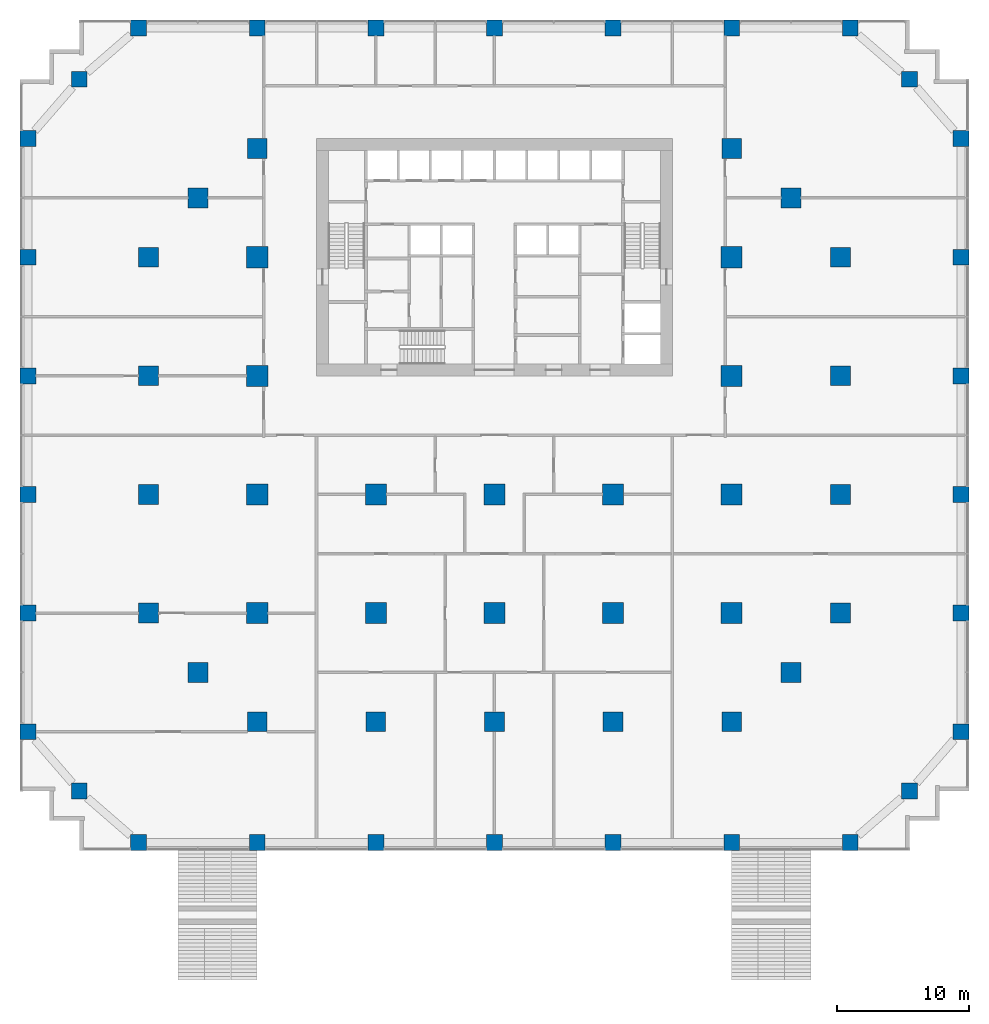
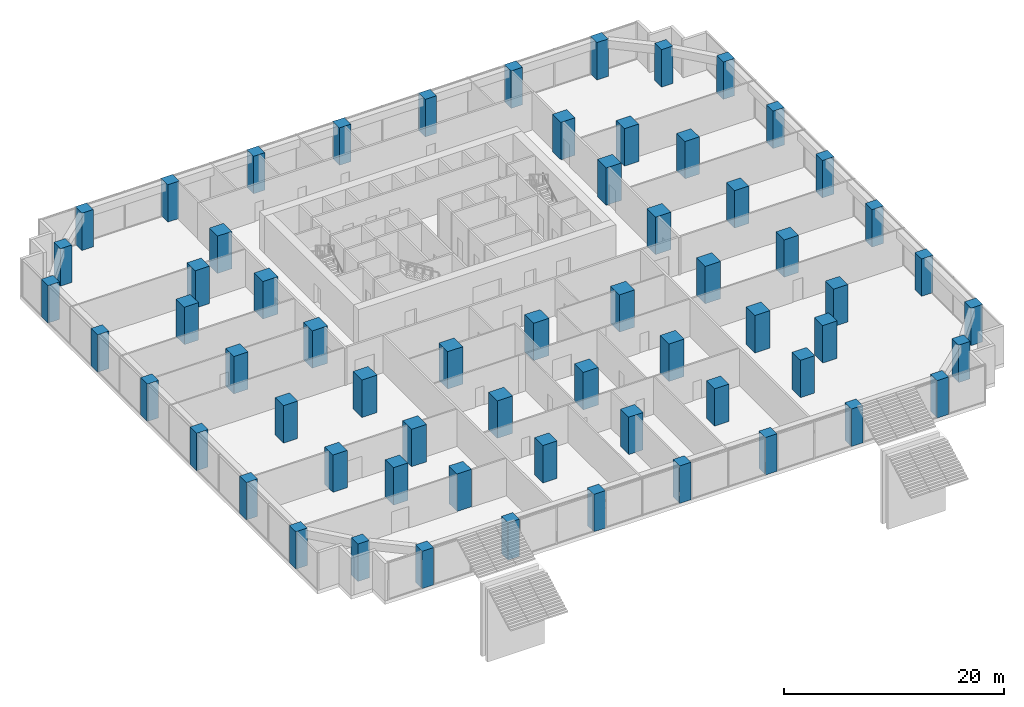
# One storey, part 1 of 18: 63 columns.
"""IFC4 building model written with IfcOpenShell, lengths in metres."""

from ifc_helpers import new_model, si_unit, direction, frame, origin, origin_2d, place, context, subcontext, project, spatial, rectangle, extrude, material, material_profile, profile_set, type_object, element, save


model = new_model("IFC4")

# Units and contexts
model_context = context("Model", 3, precision=1e-05, world=origin(), true_north=direction((0.0, 1.0)))
body_context = subcontext(model_context, "Body", "Model", "MODEL_VIEW")
ifc_project = project(units=[si_unit("LENGTHUNIT", "METRE"), si_unit("AREAUNIT", "SQUARE_METRE"), si_unit("VOLUMEUNIT", "CUBIC_METRE"), si_unit("PLANEANGLEUNIT", "RADIAN"), si_unit("MASSUNIT", "GRAM", prefix="KILO")], contexts=[model_context])

# Site, building, storey
site_placement = place(None, origin())
site = spatial("IfcSite", under=ifc_project, at=site_placement, CompositionType="ELEMENT")
building_placement = place(site_placement, origin())
building = spatial("IfcBuilding", under=site, at=building_placement, Name="Orbiselva Terraces", CompositionType="ELEMENT")
storey_placement = place(building_placement, frame((0.0, 0.0, 6.0)))
storey = spatial("IfcBuildingStorey", under=building, at=storey_placement, Name="L01", CompositionType="ELEMENT", Elevation=6.0)

# Columns
ifc_material_1 = material(Name="Concrete C80/95", Category="concrete")
ifc_material_profile_1 = material_profile(ifc_material_1, rectangle(XDim=1.6, YDim=1.6, at=origin_2d()), Name="RC 1600x1600")
ifc_profile_set_1 = profile_set([ifc_material_profile_1], Name="Concrete C80/95")
column_type_1 = type_object("IfcColumnType", Name="COLUMN RC 1600x1600", PredefinedType="COLUMN", material=ifc_profile_set_1)
for number, where, z_axis, x_axis, name in (
    (1, (-18.0, -13.5, 0.0), (0.0, 0.0, 1.0), (1.0, 0.0, 0.0), "Column L01-31"),
    (2, (-18.0, -4.5, 0.0), (0.0, 0.0, 1.0), (1.0, 0.0, 0.0), "Column L01-33"),
    (3, (-18.0, 13.5, 0.0), (0.0, 0.0, 1.0), (1.0, 0.0, 0.0), "Column L01-34"),
    (4, (-18.0, 4.5, 0.0), (0.0, 0.0, 1.0), (1.0, 0.0, 0.0), "Column L01-36"),
    (5, (-9.0, -13.5, 0.0), (0.0, 0.0, 1.0), (1.0, 0.0, 0.0), "Column L01-43"),
    (6, (-9.0, -4.5, 0.0), (0.0, 0.0, 1.0), (1.0, 0.0, 0.0), "Column L01-45"),
    (7, (0.0, -13.5, 0.0), (0.0, 0.0, 1.0), (1.0, 0.0, 0.0), "Column L01-46"),
    (8, (0.0, -4.5, 0.0), (0.0, 0.0, 1.0), (1.0, 0.0, 0.0), "Column L01-48"),
    (9, (18.0, -13.5, 0.0), (0.0, 0.0, 1.0), (1.0, 0.0, 0.0), "Column L01-49"),
    (10, (18.0, -4.5, 0.0), (0.0, 0.0, 1.0), (1.0, 0.0, 0.0), "Column L01-51"),
    (11, (18.0, 13.5, 0.0), (0.0, 0.0, 1.0), (1.0, 0.0, 0.0), "Column L01-52"),
    (12, (18.0, 4.5, 0.0), (0.0, 0.0, 1.0), (1.0, 0.0, 0.0), "Column L01-54"),
    (13, (9.0, -13.5, 0.0), (0.0, 0.0, 1.0), (1.0, 0.0, 0.0), "Column L01-61"),
    (14, (9.0, -4.5, 0.0), (0.0, 0.0, 1.0), (1.0, 0.0, 0.0), "Column L01-63"),
):
    element("IfcColumn", number, at=place(storey_placement, frame(where, z_axis=z_axis, x_axis=x_axis)), inside=storey, type_object=column_type_1, Name=name, PredefinedType="COLUMN", context=body_context, shape_type="SweptSolid", body=[
        extrude(rectangle(XDim=1.6, YDim=1.6, at=origin_2d()), origin(), (0.0, 0.0, 1.0), 4.15),
    ])
ifc_material_2 = material(Name="Concrete C60/75", Category="concrete")
ifc_material_profile_2 = material_profile(ifc_material_2, rectangle(XDim=1.2, YDim=1.2, at=origin_2d()), Name="RC 1200x1200")
ifc_profile_set_2 = profile_set([ifc_material_profile_2], Name="Concrete C60/75")
column_type_2 = type_object("IfcColumnType", Name="PERIMETER COLUMN RC 1200x1200", PredefinedType="COLUMN", material=ifc_profile_set_2)
for number, where, z_axis, x_axis, name in (
    (15, (-18.0, -30.9, 0.0), (0.0, 0.0, 1.0), (1.0, 0.0, 0.0), "Column L01-01"),
    (16, (-18.0, 30.9, 0.0), (0.0, 0.0, 1.0), (1.0, 0.0, 0.0), "Column L01-02"),
    (17, (-27.0, -30.9, 0.0), (0.0, 0.0, 1.0), (1.0, 0.0, 0.0), "Column L01-03"),
    (18, (-27.0, 30.9, 0.0), (0.0, 0.0, 1.0), (1.0, 0.0, 0.0), "Column L01-04"),
    (19, (-35.4, -13.5, 0.0), (0.0, 0.0, 1.0), (1.0, 0.0, 0.0), "Column L01-05"),
    (20, (-35.4, -22.5, 0.0), (0.0, 0.0, 1.0), (1.0, 0.0, 0.0), "Column L01-06"),
    (21, (-31.5, -27.0, 0.0), (0.0, 0.0, 1.0), (1.0, 0.0, 0.0), "Column L01-07"),
    (22, (-35.4, -4.5, 0.0), (0.0, 0.0, 1.0), (1.0, 0.0, 0.0), "Column L01-08"),
    (23, (-35.4, 13.5, 0.0), (0.0, 0.0, 1.0), (1.0, 0.0, 0.0), "Column L01-09"),
    (24, (-35.4, 22.5, 0.0), (0.0, 0.0, 1.0), (1.0, 0.0, 0.0), "Column L01-10"),
    (25, (-31.5, 27.0, 0.0), (0.0, 0.0, 1.0), (1.0, 0.0, 0.0), "Column L01-11"),
    (26, (-35.4, 4.5, 0.0), (0.0, 0.0, 1.0), (1.0, 0.0, 0.0), "Column L01-12"),
    (27, (-9.0, -30.9, 0.0), (0.0, 0.0, 1.0), (1.0, 0.0, 0.0), "Column L01-13"),
    (28, (-9.0, 30.9, 0.0), (0.0, 0.0, 1.0), (1.0, 0.0, 0.0), "Column L01-14"),
    (29, (0.0, -30.9, 0.0), (0.0, 0.0, 1.0), (1.0, 0.0, 0.0), "Column L01-15"),
    (30, (0.0, 30.9, 0.0), (0.0, 0.0, 1.0), (1.0, 0.0, 0.0), "Column L01-16"),
    (31, (18.0, -30.9, 0.0), (0.0, 0.0, 1.0), (1.0, 0.0, 0.0), "Column L01-17"),
    (32, (18.0, 30.9, 0.0), (0.0, 0.0, 1.0), (1.0, 0.0, 0.0), "Column L01-18"),
    (33, (27.0, -30.9, 0.0), (0.0, 0.0, 1.0), (1.0, 0.0, 0.0), "Column L01-19"),
    (34, (27.0, 30.9, 0.0), (0.0, 0.0, 1.0), (1.0, 0.0, 0.0), "Column L01-20"),
    (35, (35.4, -13.5, 0.0), (0.0, 0.0, 1.0), (1.0, 0.0, 0.0), "Column L01-21"),
    (36, (35.4, -22.5, 0.0), (0.0, 0.0, 1.0), (1.0, 0.0, 0.0), "Column L01-22"),
    (37, (31.5, -27.0, 0.0), (0.0, 0.0, 1.0), (1.0, 0.0, 0.0), "Column L01-23"),
    (38, (35.4, -4.5, 0.0), (0.0, 0.0, 1.0), (1.0, 0.0, 0.0), "Column L01-24"),
    (39, (35.4, 13.5, 0.0), (0.0, 0.0, 1.0), (1.0, 0.0, 0.0), "Column L01-25"),
    (40, (35.4, 22.5, 0.0), (0.0, 0.0, 1.0), (1.0, 0.0, 0.0), "Column L01-26"),
    (41, (31.5, 27.0, 0.0), (0.0, 0.0, 1.0), (1.0, 0.0, 0.0), "Column L01-27"),
    (42, (35.4, 4.5, 0.0), (0.0, 0.0, 1.0), (1.0, 0.0, 0.0), "Column L01-28"),
    (43, (9.0, -30.9, 0.0), (0.0, 0.0, 1.0), (1.0, 0.0, 0.0), "Column L01-29"),
    (44, (9.0, 30.9, 0.0), (0.0, 0.0, 1.0), (1.0, 0.0, 0.0), "Column L01-30"),
):
    element("IfcColumn", number, at=place(storey_placement, frame(where, z_axis=z_axis, x_axis=x_axis)), inside=storey, type_object=column_type_2, Name=name, PredefinedType="COLUMN", context=body_context, shape_type="SweptSolid", body=[
        extrude(rectangle(XDim=1.2, YDim=1.2, at=origin_2d()), origin(), (0.0, 0.0, 1.0), 4.15),
    ])
ifc_material_profile_3 = material_profile(ifc_material_1, rectangle(XDim=1.5, YDim=1.5, at=origin_2d()), Name="RC 1500x1500")
ifc_profile_set_3 = profile_set([ifc_material_profile_3], Name="Concrete C80/95")
column_type_3 = type_object("IfcColumnType", Name="PERIMETER COLUMN RC 1500x1500", PredefinedType="COLUMN", material=ifc_profile_set_3)
for number, where, z_axis, x_axis, name in (
    (45, (-18.0, -21.75, 0.0), (0.0, 0.0, 1.0), (1.0, 0.0, 0.0), "Column L01-32"),
    (46, (-18.0, 21.75, 0.0), (0.0, 0.0, 1.0), (1.0, 0.0, 0.0), "Column L01-35"),
    (47, (-26.25, -13.5, 0.0), (0.0, 0.0, 1.0), (1.0, 0.0, 0.0), "Column L01-37"),
    (48, (-22.5, -18.0, 0.0), (0.0, 0.0, 1.0), (1.0, 0.0, 0.0), "Column L01-38"),
    (49, (-26.25, -4.5, 0.0), (0.0, 0.0, 1.0), (1.0, 0.0, 0.0), "Column L01-39"),
    (50, (-26.25, 13.5, 0.0), (0.0, 0.0, 1.0), (1.0, 0.0, 0.0), "Column L01-40"),
    (51, (-22.5, 18.0, 0.0), (0.0, 0.0, 1.0), (1.0, 0.0, 0.0), "Column L01-41"),
    (52, (-26.25, 4.5, 0.0), (0.0, 0.0, 1.0), (1.0, 0.0, 0.0), "Column L01-42"),
    (53, (-9.0, -21.75, 0.0), (0.0, 0.0, 1.0), (1.0, 0.0, 0.0), "Column L01-44"),
    (54, (0.0, -21.75, 0.0), (0.0, 0.0, 1.0), (1.0, 0.0, 0.0), "Column L01-47"),
    (55, (18.0, -21.75, 0.0), (0.0, 0.0, 1.0), (1.0, 0.0, 0.0), "Column L01-50"),
    (56, (18.0, 21.75, 0.0), (0.0, 0.0, 1.0), (1.0, 0.0, 0.0), "Column L01-53"),
    (57, (26.25, -13.5, 0.0), (0.0, 0.0, 1.0), (1.0, 0.0, 0.0), "Column L01-55"),
    (58, (22.5, -18.0, 0.0), (0.0, 0.0, 1.0), (1.0, 0.0, 0.0), "Column L01-56"),
    (59, (26.25, -4.5, 0.0), (0.0, 0.0, 1.0), (1.0, 0.0, 0.0), "Column L01-57"),
    (60, (26.25, 13.5, 0.0), (0.0, 0.0, 1.0), (1.0, 0.0, 0.0), "Column L01-58"),
    (61, (22.5, 18.0, 0.0), (0.0, 0.0, 1.0), (1.0, 0.0, 0.0), "Column L01-59"),
    (62, (26.25, 4.5, 0.0), (0.0, 0.0, 1.0), (1.0, 0.0, 0.0), "Column L01-60"),
    (63, (9.0, -21.75, 0.0), (0.0, 0.0, 1.0), (1.0, 0.0, 0.0), "Column L01-62"),
):
    element("IfcColumn", number, at=place(storey_placement, frame(where, z_axis=z_axis, x_axis=x_axis)), inside=storey, type_object=column_type_3, Name=name, PredefinedType="COLUMN", context=body_context, shape_type="SweptSolid", body=[
        extrude(rectangle(XDim=1.5, YDim=1.5, at=origin_2d()), origin(), (0.0, 0.0, 1.0), 4.15),
    ])

save(model, "model.ifc")
